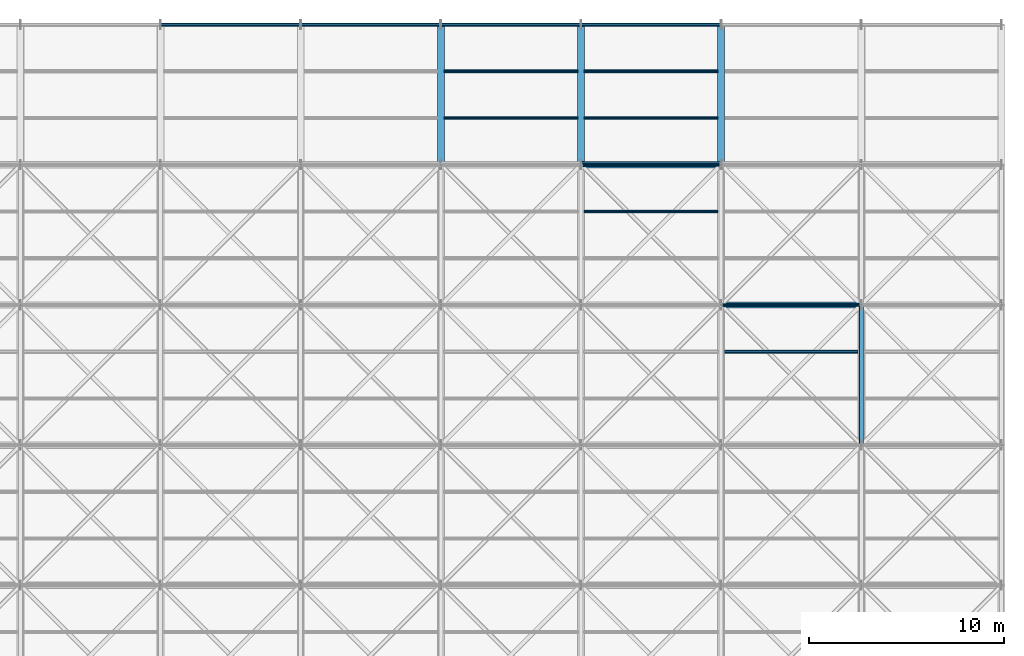
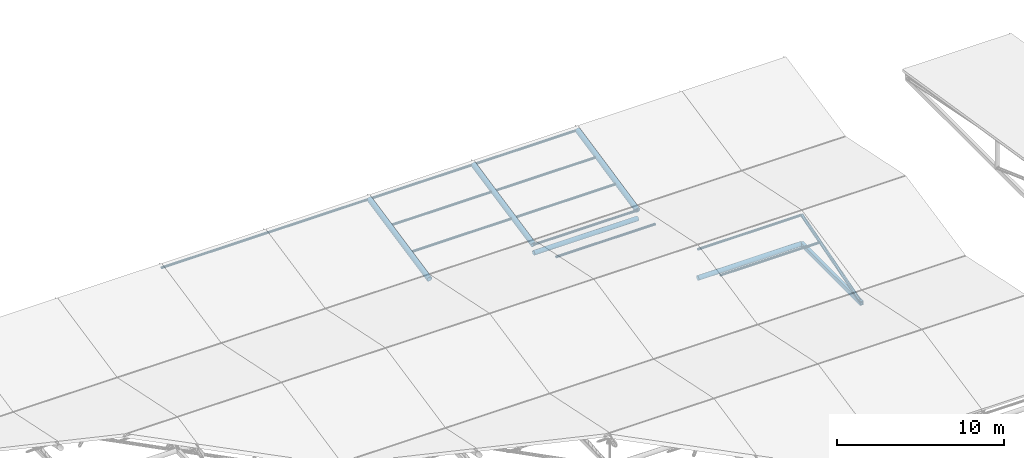
# One storey, part 36 of 72: 15 members, 4 beams.
"""IFC4 building model written with IfcOpenShell, lengths in metres."""

import ifcopenshell
import ifcopenshell.guid

model = None  # the IFC model being written
_history = None  # IfcOwnerHistory: only IFC2X3 demands one
_inside = {}  # id of a spatial element -> (the spatial element, [elements in it])
_under = {}  # id of a project, library or spatial element -> (it, [spatial elements below it])
_declared = {}  # id of a project -> (the project, [libraries it declares])
_typed = {}  # id of a type object -> (the type object, [elements of that type])
_made_of = {}  # id of a material, layer set ... -> (it, [elements and type objects made of it])


def new_model(schema):
    """Start an empty IFC model of exactly this schema.

    Asked for "IFC4X3", IfcOpenShell would pick the latest addendum, in which some entities
    have other attributes; the version numbers below select the first issue.
    IFC2X3 requires an IfcOwnerHistory on every rooted entity: one is made here for all.
    """
    global model, _history
    if schema == "IFC4X3":
        model = ifcopenshell.file(schema_version=(4, 3, 0, 0))
    else:
        model = ifcopenshell.file(schema=schema)
    _inside.clear()
    _under.clear()
    _declared.clear()
    _typed.clear()
    _made_of.clear()
    _history = None
    if model.schema == "IFC2X3":
        org = make("IfcOrganization", Name="unknown")
        user = make(
            "IfcPersonAndOrganization",
            ThePerson=make("IfcPerson", FamilyName="unknown"),
            TheOrganization=org,
        )
        app = make(
            "IfcApplication",
            ApplicationDeveloper=org,
            Version="unknown",
            ApplicationFullName="unknown",
            ApplicationIdentifier="unknown",
        )
        _history = make(
            "IfcOwnerHistory",
            OwningUser=user,
            OwningApplication=app,
            ChangeAction="ADDED",
            CreationDate=0,
        )
    return model


def make(cls, **values):
    """One entity of the class cls with the attributes given. An attribute that is None is left unset."""
    return model.create_entity(
        cls, **{name: value for name, value in values.items() if value is not None}
    )


def rooted(cls, **values):
    """An entity with a GlobalId (a new one), such as an element, a storey or a relation."""
    return make(cls, GlobalId=ifcopenshell.guid.new(), OwnerHistory=_history, **values)


def si_unit(unit_type, name, prefix=None):
    """IfcSIUnit, for example si_unit("LENGTHUNIT", "METRE", prefix="MILLI")."""
    return make("IfcSIUnit", UnitType=unit_type, Prefix=prefix, Name=name)


def assignment(units):
    """IfcUnitAssignment: the units of a project."""
    return None if units is None else make("IfcUnitAssignment", Units=units)


def point(xyz):
    """IfcCartesianPoint."""
    return None if xyz is None else make("IfcCartesianPoint", Coordinates=xyz)


def direction(xyz):
    """IfcDirection."""
    return None if xyz is None else make("IfcDirection", DirectionRatios=xyz)


def frame(location, z_axis=None, x_axis=None):
    """IfcAxis2Placement3D, a coordinate frame: its origin and axes. An axis left out is left unset."""
    return make(
        "IfcAxis2Placement3D",
        Location=point(location),
        Axis=direction(z_axis),
        RefDirection=direction(x_axis),
    )


def frame_2d(location, x_axis=None):
    """IfcAxis2Placement2D, a coordinate frame in the plane: its origin and x axis."""
    return make(
        "IfcAxis2Placement2D", Location=point(location), RefDirection=direction(x_axis)
    )


def origin():
    """The frame at (0, 0, 0) with its axes left unset."""
    return frame((0.0, 0.0, 0.0))


def origin_2d():
    """The frame at (0, 0) in the plane with its x axis left unset."""
    return frame_2d((0.0, 0.0))


def place(relative_to, where):
    """IfcLocalPlacement: puts the frame where relative to a parent placement (None: the world)."""
    return make(
        "IfcLocalPlacement", PlacementRelTo=relative_to, RelativePlacement=where
    )


def context(
    kind, dimensions, precision=None, world=None, true_north=None, identifier=None
):
    """IfcGeometricRepresentationContext, for example the 3D "Model" context."""
    return make(
        "IfcGeometricRepresentationContext",
        ContextIdentifier=identifier,
        ContextType=kind,
        CoordinateSpaceDimension=dimensions,
        Precision=precision,
        WorldCoordinateSystem=world,
        TrueNorth=true_north,
    )


def subcontext(parent, identifier, kind, view, scale=None):
    """IfcGeometricRepresentationSubContext, for example "Body" below "Model"."""
    return make(
        "IfcGeometricRepresentationSubContext",
        ContextIdentifier=identifier,
        ContextType=kind,
        ParentContext=parent,
        TargetScale=scale,
        TargetView=view,
    )


def project(units=None, contexts=None):
    """IfcProject with its units and contexts."""
    return rooted(
        "IfcProject",
        Name="project",
        RepresentationContexts=contexts,
        UnitsInContext=assignment(units),
    )


def spatial(cls, under=None, at=None, **own):
    """A site, building, storey or space (cls), placed at a placement, below another one or the project."""
    s = rooted(cls, ObjectPlacement=at, **own)
    if under is not None:
        _under.setdefault(under.id(), (under, []))[1].append(s)
    return s


def profile(cls, at=None, kind="AREA", **sizes):
    """A parametric profile (cls). Its sizes go by their IFC names, for example OverallWidth=200.0."""
    return make(cls, ProfileType=kind, Position=at, **sizes)


def hollow_rectangle(**sizes):
    """IfcRectangleHollowProfileDef."""
    return profile("IfcRectangleHollowProfileDef", **sizes)


def hollow_circle(**sizes):
    """IfcCircleHollowProfileDef."""
    return profile("IfcCircleHollowProfileDef", **sizes)


def extrude(swept, where, along, depth):
    """IfcExtrudedAreaSolid: the profile swept, set in the frame where, extruded along a direction by depth."""
    return make(
        "IfcExtrudedAreaSolid",
        SweptArea=swept,
        Position=where,
        ExtrudedDirection=direction(along),
        Depth=depth,
    )


def shape(context_of_items, identifier, shape_type, items):
    """IfcShapeRepresentation: the items that make up one representation, for example the "Body"."""
    return make(
        "IfcShapeRepresentation",
        ContextOfItems=context_of_items,
        RepresentationIdentifier=identifier,
        RepresentationType=shape_type,
        Items=items,
    )


def material(Name=None, Category=None):
    """IfcMaterial."""
    return make("IfcMaterial", Name=Name, Category=Category)


def material_profile(
    of_material, cross_section, Name=None, Category=None, Priority=None
):
    """IfcMaterialProfile: a cross section and its material."""
    return make(
        "IfcMaterialProfile",
        Name=Name,
        Material=of_material,
        Profile=cross_section,
        Priority=Priority,
        Category=Category,
    )


def profile_set(profiles, Name=None, composite=None):
    """IfcMaterialProfileSet."""
    return make(
        "IfcMaterialProfileSet",
        Name=Name,
        MaterialProfiles=profiles,
        CompositeProfile=composite,
    )


def made_of(thing, what):
    """Note that an element or type object is made of a material, layer set ...; save() writes the relation."""
    if what is not None:
        _made_of.setdefault(what.id(), (what, []))[1].append(thing)
    return thing


def type_object(cls, material=None, **own):
    """A type object (cls), such as IfcWallType, which elements share."""
    return made_of(rooted(cls, **own), material)


def element(
    cls,
    number,
    at=None,
    inside=None,
    cuts=None,
    type_object=None,
    material=None,
    context=None,
    identifier="Body",
    shape_type=None,
    held_by="IfcProductDefinitionShape",
    body=None,
    shapes=None,
    **own,
):
    """One element of the class cls, such as IfcWall. Its Tag is "e" and its number.

    at: its placement. inside: the storey or other place that contains it. cuts: it is an
    opening in that element (IfcRelVoidsElement). A single representation is given by context,
    identifier, shape_type and body (its items); several are given by shapes. held_by: the class
    of the entity that holds the representations. save() writes the other relations.
    """
    e = rooted(cls, Tag="e%d" % number, ObjectPlacement=at, **own)
    if body is not None:
        shapes = [shape(context, identifier, shape_type, body)]
    if shapes is not None:
        e.Representation = make(held_by, Representations=shapes)
    if inside is not None:
        _inside.setdefault(inside.id(), (inside, []))[1].append(e)
    if cuts is not None:
        rooted(
            "IfcRelVoidsElement", RelatingBuildingElement=cuts, RelatedOpeningElement=e
        )
    if type_object is not None:
        _typed.setdefault(type_object.id(), (type_object, []))[1].append(e)
    return made_of(e, material)


def aggregate(whole, parts):
    """IfcRelAggregates: a whole, such as a stair, and the parts it consists of."""
    return rooted("IfcRelAggregates", RelatingObject=whole, RelatedObjects=parts)


def save(model, path):
    """Write the relations noted so far, then the file.

    IfcRelAggregates (storeys below a building ...), IfcRelContainedInSpatialStructure (elements
    in a storey), IfcRelDefinesByType, IfcRelAssociatesMaterial and IfcRelDeclares: one each for
    every whole, place, type object, material and project.
    """
    for whole, parts in _under.values():
        aggregate(whole, parts)
    for where, things in _inside.values():
        rooted(
            "IfcRelContainedInSpatialStructure",
            RelatedElements=things,
            RelatingStructure=where,
        )
    for kind, things in _typed.values():
        rooted("IfcRelDefinesByType", RelatedObjects=things, RelatingType=kind)
    for what, things in _made_of.values():
        rooted("IfcRelAssociatesMaterial", RelatedObjects=things, RelatingMaterial=what)
    for by, libraries in _declared.values():
        rooted("IfcRelDeclares", RelatingContext=by, RelatedDefinitions=libraries)
    model.write(path)


model = new_model("IFC4")

# Units and contexts
model_context = context("Model", 3, precision=1e-05, world=origin(), true_north=direction((0.0, 1.0)))
body_context = subcontext(model_context, "Body", "Model", "MODEL_VIEW")
ifc_project = project(units=[si_unit("LENGTHUNIT", "METRE"), si_unit("AREAUNIT", "SQUARE_METRE"), si_unit("VOLUMEUNIT", "CUBIC_METRE"), si_unit("PLANEANGLEUNIT", "RADIAN"), si_unit("MASSUNIT", "GRAM", prefix="KILO")], contexts=[model_context])

# Site, building, storey
site_placement = place(None, origin())
site = spatial("IfcSite", under=ifc_project, at=site_placement, CompositionType="ELEMENT")
building_placement = place(site_placement, origin())
building = spatial("IfcBuilding", under=site, at=building_placement, Name="Vaelcorin Mobility Hub", CompositionType="ELEMENT")
storey_placement = place(building_placement, frame((0.0, 0.0, 25.800048828125)))
storey = spatial("IfcBuildingStorey", under=building, at=storey_placement, Name="RF", CompositionType="ELEMENT", Elevation=25.800048828125)

# Members
ifc_material = material(Name="Steel ASTM A500 Grade C", Category="steel")
ifc_material_profile_1 = material_profile(ifc_material, hollow_circle(Radius=0.161865234375, WallThickness=0.0126953125, at=origin_2d()), Name="HSS12.750X0.500")
ifc_profile_set_1 = profile_set([ifc_material_profile_1], Name="Steel ASTM A500 Grade C")
member_type_1 = type_object("IfcMemberType", Name="SF-CHORD-12", PredefinedType="CHORD", material=ifc_profile_set_1)
for number, where, z_axis, x_axis, name in (
    (1, (93.60009765625, 112.800048828125, -2.10009765625), (1.0, 0.0, 0.0), (0.0, 1.0, 0.0), "Sports Truss Lower Tie Strut 9-4"),
    (2, (100.800048828125, 105.60009765625, -2.10009765625), (1.0, 0.0, 0.0), (0.0, 1.0, 0.0), "Sports Truss Lower Tie Strut 10-3"),
):
    element("IfcMember", number, at=place(storey_placement, frame(where, z_axis=z_axis, x_axis=x_axis)), inside=storey, type_object=member_type_1, Name=name, PredefinedType="CHORD", context=body_context, shape_type="SweptSolid", body=[
        extrude(hollow_circle(Radius=0.161865234375, WallThickness=0.0126953125, at=origin_2d()), origin(), (0.0, 0.0, 1.0), 7.199951171875),
    ])
ifc_material_profile_2 = material_profile(ifc_material, hollow_circle(Radius=0.084228515625, WallThickness=0.0078125, at=origin_2d()), Name="HSS6.625X0.312")
ifc_profile_set_2 = profile_set([ifc_material_profile_2], Name="Steel ASTM A500 Grade C")
member_type_2 = type_object("IfcMemberType", Name="SF-PURL-6", PredefinedType="PURLIN", material=ifc_profile_set_2)
for number, where, z_axis, x_axis, name in (
    (3, (72.0, 120.0, 0.0), (1.0, 0.0, 0.0), (0.0, 1.0, 0.0), "Sports Pavilion Roof Purlin 6-5"),
    (4, (79.199951171875, 120.0, 0.0), (1.0, 0.0, 0.0), (0.0, 1.0, 0.0), "Sports Pavilion Roof Purlin 7-5"),
):
    element("IfcMember", number, at=place(storey_placement, frame(where, z_axis=z_axis, x_axis=x_axis)), inside=storey, type_object=member_type_2, Name=name, PredefinedType="PURLIN", context=body_context, shape_type="SweptSolid", body=[
        extrude(hollow_circle(Radius=0.084228515625, WallThickness=0.0078125, at=origin_2d()), origin(), (0.0, 0.0, 1.0), 7.199951171875),
    ])
member_1_placement = place(storey_placement, frame((86.39990234375, 120.0, 0.0), z_axis=(1.0, 0.0, 0.0), x_axis=(0.0, 1.0, 0.0)))
element("IfcMember", 5, at=member_1_placement, inside=storey, type_object=member_type_2, Name="Sports Pavilion Roof Purlin 8-5", PredefinedType="PURLIN", context=body_context, shape_type="SweptSolid", body=[
    extrude(hollow_circle(Radius=0.084228515625, WallThickness=0.0078125, at=origin_2d()), origin(), (0.0, 0.0, 1.0), 7.2001953125),
])
for number, where, z_axis, x_axis, name in (
    (6, (86.56005859375, 115.199951171875, -1.0), (1.0, 0.0, 0.0), (0.0, 1.0, 0.0), "Sports Roof Secondary Purlin 8-5-1"),
    (7, (86.56005859375, 117.60009765625, -0.5), (1.0, 0.0, 0.0), (0.0, 1.0, 0.0), "Sports Roof Secondary Purlin 8-5-2"),
):
    element("IfcMember", number, at=place(storey_placement, frame(where, z_axis=z_axis, x_axis=x_axis)), inside=storey, type_object=member_type_2, Name=name, PredefinedType="PURLIN", context=body_context, shape_type="SweptSolid", body=[
        extrude(hollow_circle(Radius=0.084228515625, WallThickness=0.0078125, at=origin_2d()), origin(), (0.0, 0.0, 1.0), 6.8798828125),
    ])
for number, where, z_axis, x_axis, name in (
    (8, (93.60009765625, 112.800048828125, -1.5), (1.0, 0.0, 0.0), (0.0, 1.0, 0.0), "Sports Pavilion Roof Purlin 9-4"),
    (9, (93.60009765625, 120.0, 0.0), (1.0, 0.0, 0.0), (0.0, 1.0, 0.0), "Sports Pavilion Roof Purlin 9-5"),
):
    element("IfcMember", number, at=place(storey_placement, frame(where, z_axis=z_axis, x_axis=x_axis)), inside=storey, type_object=member_type_2, Name=name, PredefinedType="PURLIN", context=body_context, shape_type="SweptSolid", body=[
        extrude(hollow_circle(Radius=0.084228515625, WallThickness=0.0078125, at=origin_2d()), origin(), (0.0, 0.0, 1.0), 7.199951171875),
    ])
for number, where, z_axis, x_axis, name in (
    (10, (93.760009765625, 110.39990234375, -1.0), (1.0, 0.0, 0.0), (0.0, 1.0, 0.0), "Sports Roof Secondary Purlin 9-4-2"),
    (11, (93.760009765625, 115.199951171875, -1.0), (1.0, 0.0, 0.0), (0.0, 1.0, 0.0), "Sports Roof Secondary Purlin 9-5-1"),
    (12, (93.760009765625, 117.60009765625, -0.5), (1.0, 0.0, 0.0), (0.0, 1.0, 0.0), "Sports Roof Secondary Purlin 9-5-2"),
):
    element("IfcMember", number, at=place(storey_placement, frame(where, z_axis=z_axis, x_axis=x_axis)), inside=storey, type_object=member_type_2, Name=name, PredefinedType="PURLIN", context=body_context, shape_type="SweptSolid", body=[
        extrude(hollow_circle(Radius=0.084228515625, WallThickness=0.0078125, at=origin_2d()), origin(), (0.0, 0.0, 1.0), 6.8798828125),
    ])
member_2_placement = place(storey_placement, frame((100.800048828125, 105.60009765625, 0.0), z_axis=(1.0, 0.0, 0.0), x_axis=(0.0, 1.0, 0.0)))
element("IfcMember", 13, at=member_2_placement, inside=storey, type_object=member_type_2, Name="Sports Pavilion Roof Purlin 10-3", PredefinedType="PURLIN", context=body_context, shape_type="SweptSolid", body=[
    extrude(hollow_circle(Radius=0.084228515625, WallThickness=0.0078125, at=origin_2d()), origin(), (0.0, 0.0, 1.0), 7.199951171875),
])
member_3_placement = place(storey_placement, frame((100.9599609375, 103.199951171875, -0.5), z_axis=(1.0, 0.0, 0.0), x_axis=(0.0, 1.0, 0.0)))
element("IfcMember", 14, at=member_3_placement, inside=storey, type_object=member_type_2, Name="Sports Roof Secondary Purlin 10-3-2", PredefinedType="PURLIN", context=body_context, shape_type="SweptSolid", body=[
    extrude(hollow_circle(Radius=0.084228515625, WallThickness=0.0078125, at=origin_2d()), origin(), (0.0, 0.0, 1.0), 6.880126953125),
])

# Beams
ifc_material_profile_3 = material_profile(ifc_material, hollow_circle(Radius=0.177734375, WallThickness=0.0126953125, at=origin_2d()), Name="HSS14.000X0.500")
ifc_profile_set_3 = profile_set([ifc_material_profile_3], Name="Steel ASTM A500 Grade C")
beam_type_1 = type_object("IfcBeamType", Name="TR-CHORD-14", PredefinedType="BEAM", material=ifc_profile_set_3)
for number, where, z_axis, x_axis, name in (
    (15, (86.39990234375, 112.800048828125, -1.5), (0.0, 0.978980143565, 0.203955579738), (-1.0, 0.0, 0.0), "Sports Pavilion Roof Truss Upper Chord 7-5"),
    (16, (93.60009765625, 112.800048828125, -1.5), (0.0, 0.978980143565, 0.203955579738), (-1.0, 0.0, 0.0), "Sports Pavilion Roof Truss Upper Chord 8-5"),
    (17, (100.800048828125, 112.800048828125, -1.5), (0.0, 0.978980143565, 0.203955579738), (-1.0, 0.0, 0.0), "Sports Pavilion Roof Truss Upper Chord 9-5"),
):
    element("IfcBeam", number, at=place(storey_placement, frame(where, z_axis=z_axis, x_axis=x_axis)), inside=storey, type_object=beam_type_1, Name=name, PredefinedType="BEAM", context=body_context, shape_type="SweptSolid", body=[
        extrude(hollow_circle(Radius=0.177734375, WallThickness=0.0126953125, at=origin_2d()), origin(), (0.0, 0.0, 1.0), 7.3544921875),
    ])
ifc_material_profile_4 = material_profile(ifc_material, hollow_rectangle(XDim=0.203125, YDim=0.3046875, WallThickness=0.01171875, at=origin_2d()), Name="HSS12X8X0.500")
ifc_profile_set_4 = profile_set([ifc_material_profile_4], Name="Steel ASTM A500 Grade C")
beam_type_2 = type_object("IfcBeamType", Name="TR-CHORD-RHS12", PredefinedType="BEAM", material=ifc_profile_set_4)
beam_placement = place(storey_placement, frame((108.0, 98.39990234375, -2.10009765625), z_axis=(0.0, 1.0, 0.0), x_axis=(-1.0, 0.0, 0.0)))
element("IfcBeam", 18, at=beam_placement, inside=storey, type_object=beam_type_2, Name="Sports Pavilion Roof Truss Bottom Chord 10-3", PredefinedType="BEAM", context=body_context, shape_type="SweptSolid", body=[
    extrude(hollow_rectangle(XDim=0.203125, YDim=0.3046875, WallThickness=0.01171875, at=origin_2d()), origin(), (0.0, 0.0, 1.0), 7.2001953125),
])

# Member
ifc_material_profile_5 = material_profile(ifc_material, hollow_circle(Radius=0.109619140625, WallThickness=0.009521484375, at=origin_2d()), Name="HSS8.625X0.375")
ifc_profile_set_5 = profile_set([ifc_material_profile_5], Name="Steel ASTM A500 Grade C")
member_type_3 = type_object("IfcMemberType", Name="TR-WEB-8", PredefinedType="BRACE", material=ifc_profile_set_5)
member_4_placement = place(storey_placement, frame((108.0, 98.39990234375, -2.10009765625), z_axis=(0.0, 0.959998541695, 0.280004999853), x_axis=(-1.0, 0.0, 0.0)))
element("IfcMember", 19, at=member_4_placement, inside=storey, type_object=member_type_3, Name="Sports Pavilion Roof Truss Diagonal 10-3", PredefinedType="BRACE", context=body_context, shape_type="SweptSolid", body=[
    extrude(hollow_circle(Radius=0.109619140625, WallThickness=0.009521484375, at=origin_2d()), origin(), (0.0, 0.0, 1.0), 7.500244140625),
])

save(model, "model.ifc")
